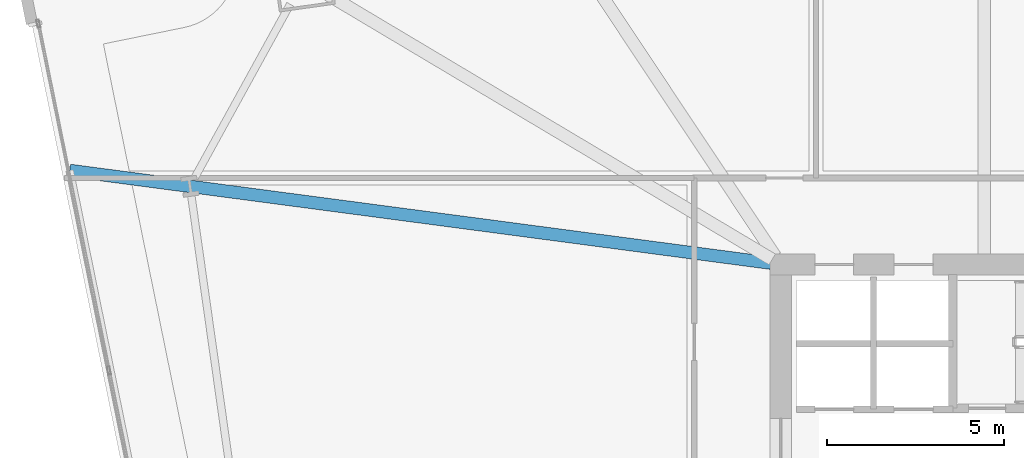
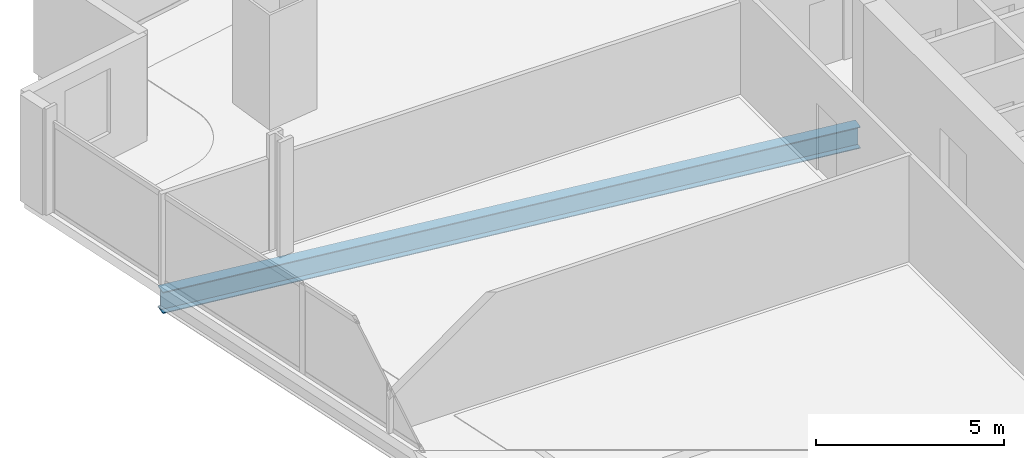
# One storey, part 14 of 33: 1 beam.
"""IFC4 building model written with IfcOpenShell, lengths in metres."""

from ifc_helpers import new_model, si_unit, direction, frame, origin, origin_2d, place, context, subcontext, project, spatial, i_section, extrude, material, material_profile, profile_set, type_object, element, save


model = new_model("IFC4")

# Units and contexts
model_context = context("Model", 3, precision=1e-05, world=origin(), true_north=direction((0.0, 1.0)))
body_context = subcontext(model_context, "Body", "Model", "MODEL_VIEW")
ifc_project = project(units=[si_unit("LENGTHUNIT", "METRE"), si_unit("AREAUNIT", "SQUARE_METRE"), si_unit("VOLUMEUNIT", "CUBIC_METRE"), si_unit("PLANEANGLEUNIT", "RADIAN"), si_unit("MASSUNIT", "GRAM", prefix="KILO")], contexts=[model_context])

# Site, building, storey
site_placement = place(None, origin())
site = spatial("IfcSite", under=ifc_project, at=site_placement, CompositionType="ELEMENT")
building_placement = place(site_placement, origin())
building = spatial("IfcBuilding", under=site, at=building_placement, Name="Haldenkirk Collegiate Tower", CompositionType="ELEMENT")
storey_placement = place(building_placement, frame((0.0, 0.0, 66.449951171875)))
storey = spatial("IfcBuildingStorey", under=building, at=storey_placement, Name="L15", CompositionType="ELEMENT", Elevation=66.449951171875)

# Beam
ifc_material = material(Name="Steel ASTM A992 Grade 50", Category="steel")
ifc_material_profile = material_profile(ifc_material, i_section(OverallWidth=0.35498046875, OverallDepth=0.696044921875, WebThickness=0.015380859375, FlangeThickness=0.02490234375, at=origin_2d()), Name="W27X146")
ifc_profile_set = profile_set([ifc_material_profile], Name="Steel ASTM A992 Grade 50")
beam_type = type_object("IfcBeamType", Name="BM-GIRDER-W27X146", PredefinedType="BEAM", material=ifc_profile_set)
beam_placement = place(storey_placement, frame((6.85888671875, 36.66357421875, -0.657958984375), z_axis=(0.991368023071, -0.131108515483, 0.0), x_axis=(0.131108515483, 0.991368023071, 0.0)))
element("IfcBeam", 1, at=beam_placement, inside=storey, type_object=beam_type, Name="L15 primary floor girder 14", PredefinedType="BEAM", context=body_context, shape_type="SweptSolid", body=[
    extrude(i_section(OverallWidth=0.35498046875, OverallDepth=0.696044921875, WebThickness=0.015380859375, FlangeThickness=0.02490234375, at=origin_2d()), origin(), (0.0, 0.0, 1.0), 20.036376953125),
])

save(model, "model.ifc")
